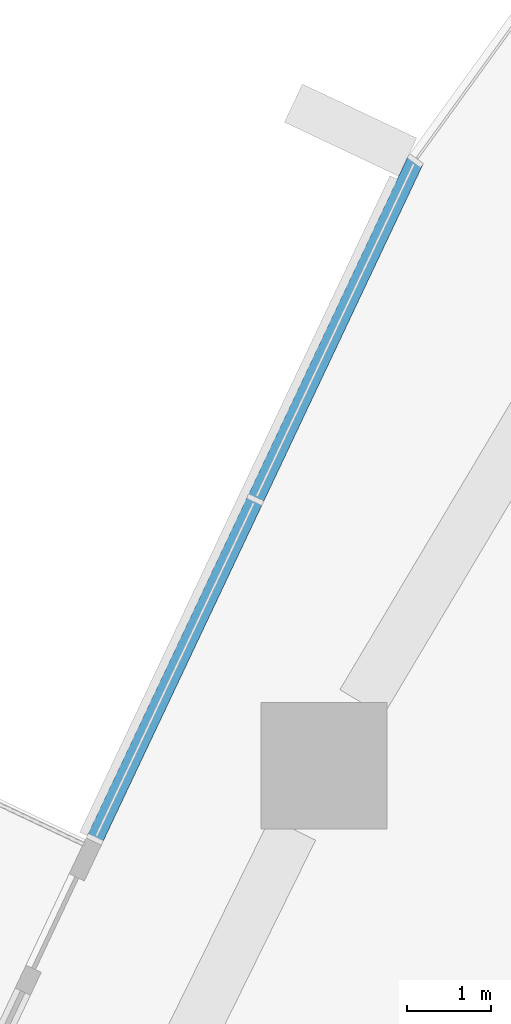
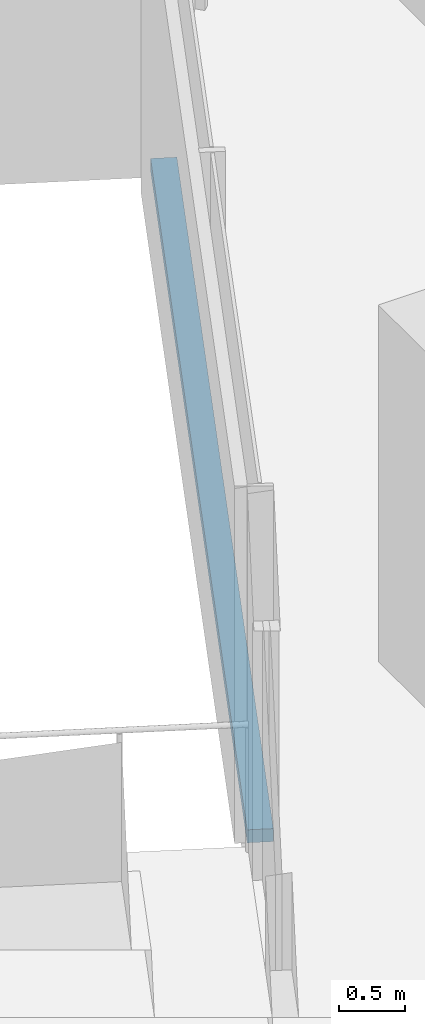
# One storey, part 6 of 25: 1 member, 1 element without a shape of its own.
"""IFC4 building model written with IfcOpenShell, lengths in metres."""

from ifc_helpers import new_model, si_unit, direction, frame, origin, origin_2d, place, context, subcontext, project, spatial, rectangle, extrude, material, layer, layer_set, material_profile, profile_set, type_object, element, aggregate, save


model = new_model("IFC4")

# Units and contexts
model_context = context("Model", 3, precision=1e-05, world=origin(), true_north=direction((0.0, 1.0)))
body_context = subcontext(model_context, "Body", "Model", "MODEL_VIEW")
ifc_project = project(units=[si_unit("LENGTHUNIT", "METRE"), si_unit("AREAUNIT", "SQUARE_METRE"), si_unit("VOLUMEUNIT", "CUBIC_METRE"), si_unit("PLANEANGLEUNIT", "RADIAN"), si_unit("MASSUNIT", "GRAM", prefix="KILO")], contexts=[model_context])

# Site, building, storey
site_placement = place(None, origin())
site = spatial("IfcSite", under=ifc_project, at=site_placement, CompositionType="ELEMENT")
building_placement = place(site_placement, origin())
building = spatial("IfcBuilding", under=site, at=building_placement, Name="Dongbaek Canopy Tower", CompositionType="ELEMENT")
storey_placement = place(building_placement, frame((0.0, 0.0, 81.0)))
storey = spatial("IfcBuildingStorey", under=building, at=storey_placement, Name="L16", CompositionType="ELEMENT", Elevation=81.0)

# Curtain wall, member
ifc_material_1 = material(Name="Aluminium 6063-T6 pale anodised", Category="aluminium")
ifc_layer = layer(ifc_material_1, 0.199951171875)
ifc_layer_set = layer_set([ifc_layer], Name="CW-1 unitised tower curtain wall")
curtain_wall_type = type_object("IfcCurtainWallType", Name="CW-1 unitised tower curtain wall", PredefinedType="NOTDEFINED", material=ifc_layer_set)
curtain_wall_placement = place(storey_placement, origin())
curtain_wall = element("IfcCurtainWall", 1, at=curtain_wall_placement, inside=storey, type_object=curtain_wall_type, Name="CW-1 curtain wall F2.1", PredefinedType="NOTDEFINED")
ifc_material_2 = material(Name="Aluminium 6063-T6 pale anodised", Category="aluminium")
ifc_material_profile = material_profile(ifc_material_2, rectangle(XDim=0.199951171875, YDim=0.1201171875, at=origin_2d()), Name="CW-1 transom 120 x 200")
ifc_profile_set = profile_set([ifc_material_profile], Name="Aluminium 6063-T6 pale anodised")
member_type = type_object("IfcMemberType", Name="CW-1 transom 120 x 200", PredefinedType="USERDEFINED", material=ifc_profile_set)
member_placement = place(storey_placement, frame((-21.5634765625, 31.306640625, 0.06005859375), z_axis=(-0.427158827399, -0.904176606739, 0.0), x_axis=(0.904176606739, -0.427158827399, 0.0)))
member = element("IfcMember", 2, at=member_placement, type_object=member_type, Name="CW-1 transom F2.1.1", ObjectType="TRANSOM", PredefinedType="USERDEFINED", context=body_context, shape_type="SweptSolid", body=[
    extrude(rectangle(XDim=0.199951171875, YDim=0.1201171875, at=origin_2d()), origin(), (0.0, 0.0, 1.0), 8.906982421875),
])
aggregate(curtain_wall, [member])

save(model, "model.ifc")
